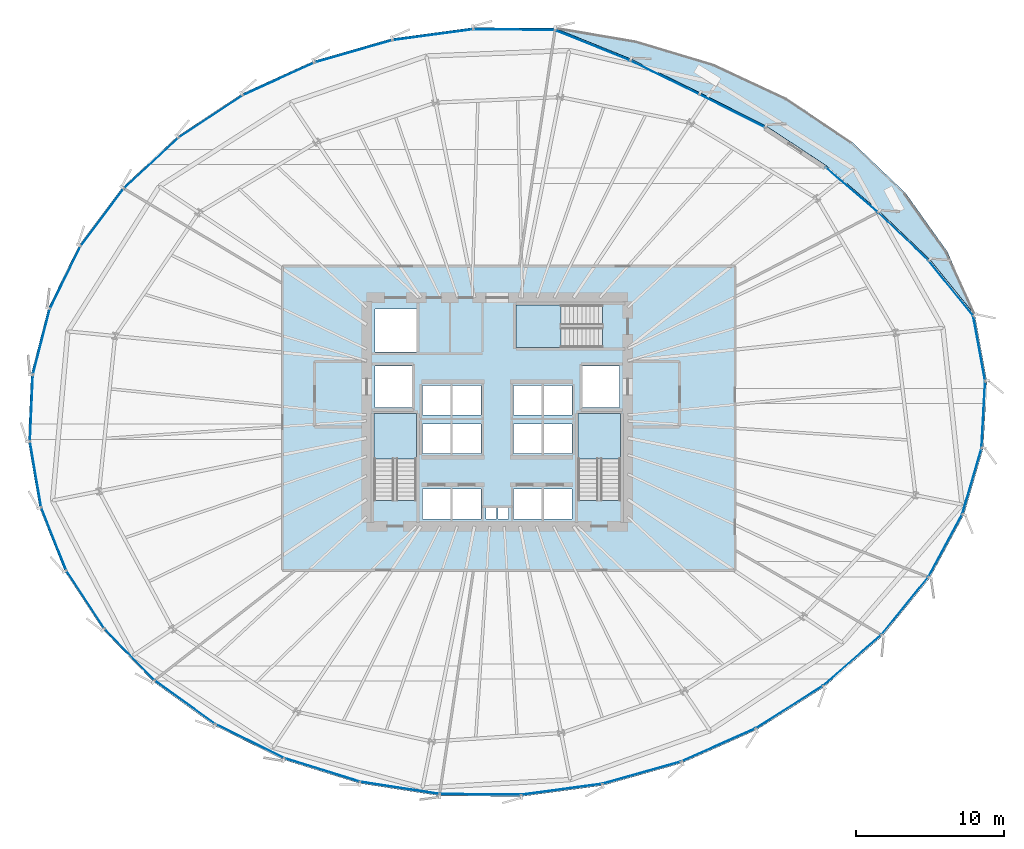
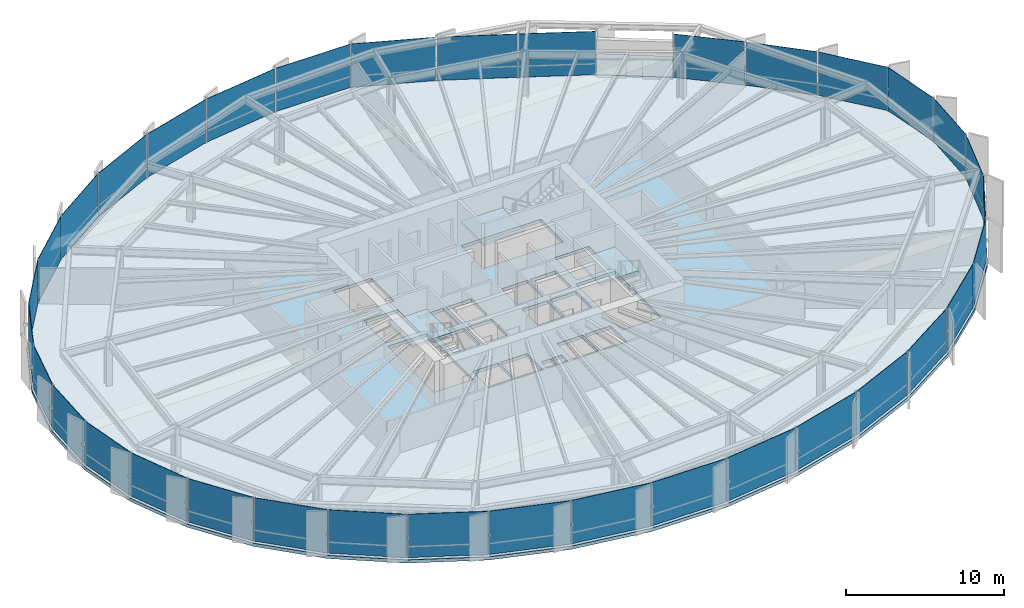
# One storey, part 31 of 39: 35 plates, 5 slabs, 10 elements without a shape of their own.
"""IFC4 building model written with IfcOpenShell, lengths in metres."""

from ifc_helpers import new_model, si_unit, direction, frame, origin, origin_2d, place, context, subcontext, project, spatial, polyline, rectangle, outline, extrude, source, transform, mapped, material, layer, layer_set, type_object, element, aggregate, save


model = new_model("IFC4")

# Units and contexts
model_context = context("Model", 3, precision=1e-05, world=origin(), true_north=direction((0.0, 1.0)))
body_context = subcontext(model_context, "Body", "Model", "MODEL_VIEW")
ifc_project = project(units=[si_unit("LENGTHUNIT", "METRE"), si_unit("AREAUNIT", "SQUARE_METRE"), si_unit("VOLUMEUNIT", "CUBIC_METRE"), si_unit("PLANEANGLEUNIT", "RADIAN"), si_unit("MASSUNIT", "GRAM", prefix="KILO"), si_unit("THERMODYNAMICTEMPERATUREUNIT", "KELVIN")], contexts=[model_context])

# Site, building, storey
site_placement = place(None, origin())
site = spatial("IfcSite", under=ifc_project, at=site_placement, CompositionType="ELEMENT")
building_placement = place(site_placement, origin())
building = spatial("IfcBuilding", under=site, at=building_placement, Name="Kethvar Cultural Tower", CompositionType="ELEMENT")
storey_placement = place(building_placement, frame((0.0, 0.0, 44.800048828125)))
storey = spatial("IfcBuildingStorey", under=building, at=storey_placement, Name="L10", CompositionType="ELEMENT", Elevation=44.800048828125)

# Stair, slab
ifc_material_1 = material(Name="Concrete C40/50", Category="concrete")
stair_type = type_object("IfcStairType", Name="ST-DOGLEG-135", PredefinedType="HALF_TURN_STAIR", material=ifc_material_1)
stair_1_placement = place(storey_placement, origin())
stair_1 = element("IfcStair", 1, at=stair_1_placement, inside=storey, type_object=stair_type, Name="L10 Core Exit Stair 1", PredefinedType="HALF_TURN_STAIR")
ifc_layer_1 = layer(ifc_material_1, 0.199951171875, Name="Concrete C40/50", Category="concrete")
ifc_layer_set_1 = layer_set([ifc_layer_1], Name="Concrete C40/50 (200 mm)")
slab_type_1 = type_object("IfcSlabType", Name="SL-STAIR-LANDING-200", PredefinedType="LANDING", material=ifc_layer_set_1)
slab_1_placement = place(storey_placement, frame((0.0, 0.0, 1.699951171875)))
slab_1 = element("IfcSlab", 2, at=slab_1_placement, type_object=slab_type_1, Name="ST-01 landing 1", PredefinedType="LANDING", context=body_context, shape_type="SweptSolid", body=[
    extrude(outline(polyline([(41.35009765625, 24.64990234375), (41.35009765625, 27.699951171875), (38.489990234375, 27.699951171875), (38.489990234375, 24.64990234375), (41.35009765625, 24.64990234375)])), origin(), (0.0, 0.0, 1.0), 0.199951171875),
])
aggregate(stair_1, [slab_1])

stair_2_placement = place(storey_placement, origin())
stair_2 = element("IfcStair", 3, at=stair_2_placement, inside=storey, type_object=stair_type, Name="L10 Core Exit Stair 2", PredefinedType="HALF_TURN_STAIR")
slab_2_placement = place(storey_placement, frame((0.0, 0.0, 1.699951171875)))
slab_2 = element("IfcSlab", 4, at=slab_2_placement, type_object=slab_type_1, Name="ST-02 landing 1", PredefinedType="LANDING", context=body_context, shape_type="SweptSolid", body=[
    extrude(outline(polyline([(55.110107421875, 24.64990234375), (55.110107421875, 27.699951171875), (52.25, 27.699951171875), (52.25, 24.64990234375), (55.110107421875, 24.64990234375)])), origin(), (0.0, 0.0, 1.0), 0.199951171875),
])
aggregate(stair_2, [slab_2])

stair_3_placement = place(storey_placement, origin())
stair_3 = element("IfcStair", 5, at=stair_3_placement, inside=storey, type_object=stair_type, Name="L10 Core Exit Stair 3", PredefinedType="HALF_TURN_STAIR")
slab_3_placement = place(storey_placement, frame((0.0, 0.0, 1.699951171875)))
slab_3 = element("IfcSlab", 6, at=slab_3_placement, type_object=slab_type_1, Name="ST-03 landing 1", PredefinedType="LANDING", context=body_context, shape_type="SweptSolid", body=[
    extrude(outline(polyline([(51.10009765625, 35.010009765625), (48.050048828125, 35.010009765625), (48.050048828125, 32.14990234375), (51.10009765625, 32.14990234375), (51.10009765625, 35.010009765625)])), origin(), (0.0, 0.0, 1.0), 0.199951171875),
])
aggregate(stair_3, [slab_3])

# Slabs
ifc_layer_2 = layer(ifc_material_1, 0.215087890625, Name="Concrete C40/50", Category="concrete")
ifc_layer_set_2 = layer_set([ifc_layer_2], Name="Concrete C40/50 (215 mm)")
slab_type_2 = type_object("IfcSlabType", Name="SL-TER-EXT", PredefinedType="FLOOR", material=ifc_layer_set_2)
slab_4_placement = place(storey_placement, frame((0.0, 0.0, -0.215087890625)))
element("IfcSlab", 7, at=slab_4_placement, inside=storey, type_object=slab_type_2, Name="L10 Spiralling Sky Terrace Deck", PredefinedType="FLOOR", context=body_context, shape_type="SweptSolid", body=[
    extrude(outline(polyline([(78.9921875, 34.343017578125), (77.142822265625, 38.607177734375), (74.335693359375, 42.54052734375), (70.684814453125, 46.025634765625), (66.3330078125, 48.95849609375), (61.4404296875, 51.251708984375), (56.175048828125, 52.837158203125), (50.701171875, 53.66650390625), (55.81005859375, 51.59716796875), (60.47900390625, 49.315185546875), (64.9384765625, 47.06689453125), (68.983154296875, 44.405029296875), (72.534912109375, 41.343994140625), (75.95849609375, 38.089599609375), (78.9921875, 34.343017578125)])), origin(), (0.0, 0.0, 1.0), 0.215087890625),
])
ifc_layer_3 = layer(ifc_material_1, 0.25, Name="Concrete C40/50", Category="concrete")
ifc_layer_set_3 = layer_set([ifc_layer_3], Name="Concrete C40/50 (250 mm)")
slab_type_3 = type_object("IfcSlabType", Name="SL-TOW-250", PredefinedType="FLOOR", material=ifc_layer_set_3)
slab_5_placement = place(storey_placement, frame((0.0, 0.0, -0.25)))
element("IfcSlab", 8, at=slab_5_placement, inside=storey, type_object=slab_type_3, Name="L10 Structural Floor Slab", PredefinedType="FLOOR", context=body_context, shape_type="SweptSolid", body=[
    extrude(outline(polyline([(79.80810546875, 29.876708984375), (78.9921875, 34.343017578125), (75.95849609375, 38.089599609375), (72.534912109375, 41.343994140625), (68.983154296875, 44.405029296875), (64.9384765625, 47.06689453125), (60.47900390625, 49.315185546875), (55.81005859375, 51.59716796875), (50.701171875, 53.66650390625), (45.169677734375, 53.713623046875), (39.705322265625, 52.974609375), (34.45654296875, 51.470703125), (29.582763671875, 49.24755859375), (25.232177734375, 46.372802734375), (21.536865234375, 42.93359375), (18.609130859375, 39.034423828125), (16.5380859375, 34.794189453125), (15.386474609375, 30.34130859375), (15.189208984375, 25.811279296875), (15.95263671875, 21.341552734375), (17.6533203125, 17.068115234375), (20.239501953125, 13.120849609375), (23.6328125, 9.619384765625), (27.72998046875, 6.670654296875), (32.406494140625, 4.36376953125), (37.5205078125, 2.768798828125), (42.91650390625, 1.934814453125), (48.430419921875, 1.88623046875), (53.912353515625, 2.62646484375), (59.239013671875, 4.13525390625), (64.264404296875, 6.367919921875), (68.830810546875, 9.256591796875), (72.78076171875, 12.711669921875), (75.966064453125, 16.626953125), (78.258056640625, 20.881103515625), (79.558349609375, 25.34326171875), (79.80810546875, 29.876708984375)]), holes=[polyline([(38.489990234375, 21.85009765625), (38.489990234375, 27.699951171875), (41.35009765625, 27.699951171875), (41.35009765625, 21.85009765625), (38.489990234375, 21.85009765625)]), polyline([(52.25, 21.85009765625), (52.25, 27.699951171875), (55.110107421875, 27.699951171875), (55.110107421875, 21.85009765625), (52.25, 21.85009765625)]), polyline([(53.89990234375, 32.14990234375), (48.050048828125, 32.14990234375), (48.050048828125, 35.010009765625), (53.89990234375, 35.010009765625), (53.89990234375, 32.14990234375)]), polyline([(41.75, 22.60009765625), (43.64990234375, 22.60009765625), (43.64990234375, 20.60009765625), (41.75, 20.60009765625), (41.75, 22.60009765625)]), polyline([(43.800048828125, 22.60009765625), (45.699951171875, 22.60009765625), (45.699951171875, 20.60009765625), (43.800048828125, 20.60009765625), (43.800048828125, 22.60009765625)]), polyline([(47.89990234375, 22.60009765625), (49.800048828125, 22.60009765625), (49.800048828125, 20.60009765625), (47.89990234375, 20.60009765625), (47.89990234375, 22.60009765625)]), polyline([(49.949951171875, 22.60009765625), (51.85009765625, 22.60009765625), (51.85009765625, 20.60009765625), (49.949951171875, 20.60009765625), (49.949951171875, 22.60009765625)]), polyline([(41.75, 27.0), (43.64990234375, 27.0), (43.64990234375, 25.0), (41.75, 25.0), (41.75, 27.0)]), polyline([(43.800048828125, 27.0), (45.699951171875, 27.0), (45.699951171875, 25.0), (43.800048828125, 25.0), (43.800048828125, 27.0)]), polyline([(47.89990234375, 27.0), (49.800048828125, 27.0), (49.800048828125, 25.0), (47.89990234375, 25.0), (47.89990234375, 27.0)]), polyline([(49.949951171875, 27.0), (51.85009765625, 27.0), (51.85009765625, 25.0), (49.949951171875, 25.0), (49.949951171875, 27.0)]), polyline([(41.75, 29.60009765625), (43.64990234375, 29.60009765625), (43.64990234375, 27.60009765625), (41.75, 27.60009765625), (41.75, 29.60009765625)]), polyline([(43.800048828125, 29.60009765625), (45.699951171875, 29.60009765625), (45.699951171875, 27.60009765625), (43.800048828125, 27.60009765625), (43.800048828125, 29.60009765625)]), polyline([(47.89990234375, 29.60009765625), (49.800048828125, 29.60009765625), (49.800048828125, 27.60009765625), (47.89990234375, 27.60009765625), (47.89990234375, 29.60009765625)]), polyline([(49.949951171875, 29.60009765625), (51.85009765625, 29.60009765625), (51.85009765625, 27.60009765625), (49.949951171875, 27.60009765625), (49.949951171875, 29.60009765625)]), polyline([(38.550048828125, 30.89990234375), (41.050048828125, 30.89990234375), (41.050048828125, 28.10009765625), (38.550048828125, 28.10009765625), (38.550048828125, 30.89990234375)]), polyline([(52.550048828125, 30.89990234375), (55.050048828125, 30.89990234375), (55.050048828125, 28.10009765625), (52.550048828125, 28.10009765625), (52.550048828125, 30.89990234375)]), polyline([(38.550048828125, 34.75), (41.35009765625, 34.75), (41.35009765625, 31.85009765625), (38.550048828125, 31.85009765625), (38.550048828125, 34.75)]), polyline([(46.050048828125, 21.35009765625), (46.75, 21.35009765625), (46.75, 20.60009765625), (46.050048828125, 20.60009765625), (46.050048828125, 21.35009765625)]), polyline([(46.85009765625, 21.35009765625), (47.550048828125, 21.35009765625), (47.550048828125, 20.60009765625), (46.85009765625, 20.60009765625), (46.85009765625, 21.35009765625)])]), origin(), (0.0, 0.0, 1.0), 0.25),
])

# Curtain wall, plates
ifc_material_2 = material(Name="Aluminium 6063-T6", Category="aluminium")
ifc_layer_4 = layer(ifc_material_2, 0.179931640625, Name="Aluminium 6063-T6", Category="aluminium")
ifc_layer_set_4 = layer_set([ifc_layer_4], Name="Aluminium 6063-T6 (180 mm)")
curtain_wall_type = type_object("IfcCurtainWallType", Name="CW-SYS-02-Z1", PredefinedType="NOTDEFINED", material=ifc_layer_set_4)
curtain_wall_1_placement = place(storey_placement, origin())
curtain_wall_1 = element("IfcCurtainWall", 9, at=curtain_wall_1_placement, inside=storey, type_object=curtain_wall_type, Name="L10 Curtain Wall Run 01", PredefinedType="NOTDEFINED")
ifc_material_3 = material(Name="Insulated Low-E Solar Glass", Category="glass")
ifc_layer_5 = layer(ifc_material_3, 0.031982421875, Name="Insulated Low-E Solar Glass", Category="glass")
ifc_layer_set_5 = layer_set([ifc_layer_5], Name="Insulated Low-E Solar Glass (32 mm)")
plate_type = type_object("IfcPlateType", Name="CW-SYS-02-Z1-PNL", PredefinedType="CURTAIN_PANEL", material=ifc_layer_set_5)
shared_shape_1 = source(origin(), body_context, "Body", "SweptSolid", [
    extrude(rectangle(XDim=4.446533203125, YDim=0.031982421875, at=origin_2d()), origin(), (0.0, 0.0, 1.0), 3.35009765625),
])
plate_1_placement = place(storey_placement, frame((79.281982421875, 32.08837890625, 0.099853515625), z_axis=(0.0, 0.0, 1.0), x_axis=(-0.179677917869, 0.983725493128, 0.0)))
plate_1 = element("IfcPlate", 10, at=plate_1_placement, type_object=plate_type, Name="CW-L10-R01 Vision Glazing Panel 1", PredefinedType="CURTAIN_PANEL", context=body_context, shape_type="MappedRepresentation", body=[
    mapped(shared_shape_1, transform((0.0, 0.0, 0.0), scale=1.0)),
])
shared_shape_2 = source(origin(), body_context, "Body", "SweptSolid", [
    extrude(rectangle(XDim=4.727294921875, YDim=0.031982421875, at=origin_2d()), origin(), (0.0, 0.0, 1.0), 3.35009765625),
])
plate_2_placement = place(storey_placement, frame((77.382080078125, 36.140869140625, 0.099853515625), z_axis=(0.0, 0.0, 1.0), x_axis=(-0.629306827198, 0.777156945051, 0.0)))
plate_2 = element("IfcPlate", 11, at=plate_2_placement, type_object=plate_type, Name="CW-L10-R01 Vision Glazing Panel 2", PredefinedType="CURTAIN_PANEL", context=body_context, shape_type="MappedRepresentation", body=[
    mapped(shared_shape_2, transform((0.0, 0.0, 0.0), scale=1.0)),
])
shared_shape_3 = source(origin(), body_context, "Body", "SweptSolid", [
    extrude(rectangle(XDim=4.6298828125, YDim=0.031982421875, at=origin_2d()), origin(), (0.0, 0.0, 1.0), 3.35009765625),
])
plate_3_placement = place(storey_placement, frame((74.163818359375, 39.6298828125, 0.099853515625), z_axis=(0.0, 0.0, 1.0), x_axis=(-0.724773392198, 0.688987322062, 0.0)))
plate_3 = element("IfcPlate", 12, at=plate_3_placement, type_object=plate_type, Name="CW-L10-R01 Vision Glazing Panel 3", PredefinedType="CURTAIN_PANEL", context=body_context, shape_type="MappedRepresentation", body=[
    mapped(shared_shape_3, transform((0.0, 0.0, 0.0), scale=1.0)),
])
shared_shape_4 = source(origin(), body_context, "Body", "SweptSolid", [
    extrude(rectangle(XDim=4.59521484375, YDim=0.031982421875, at=origin_2d()), origin(), (0.0, 0.0, 1.0), 3.35009765625),
])
plate_4_placement = place(storey_placement, frame((70.6806640625, 42.78369140625, 0.099853515625), z_axis=(0.0, 0.0, 1.0), x_axis=(-0.75751941131, 0.652812638885, 0.0)))
plate_4 = element("IfcPlate", 13, at=plate_4_placement, type_object=plate_type, Name="CW-L10-R01 Vision Glazing Panel 4", PredefinedType="CURTAIN_PANEL", context=body_context, shape_type="MappedRepresentation", body=[
    mapped(shared_shape_4, transform((0.0, 0.0, 0.0), scale=1.0)),
])
aggregate(curtain_wall_1, [plate_1, plate_2, plate_3, plate_4])

curtain_wall_2_placement = place(storey_placement, origin())
curtain_wall_2 = element("IfcCurtainWall", 14, at=curtain_wall_2_placement, inside=storey, type_object=curtain_wall_type, Name="L10 Curtain Wall Run 02", PredefinedType="NOTDEFINED")
shared_shape_5 = source(origin(), body_context, "Body", "SweptSolid", [
    extrude(rectangle(XDim=4.900390625, YDim=0.031982421875, at=origin_2d()), origin(), (0.0, 0.0, 1.0), 3.35009765625),
])
plate_5_placement = place(storey_placement, frame((62.65478515625, 48.083984375, 0.099853515625), z_axis=(0.0, 0.0, 1.0), x_axis=(-0.892931804316, 0.450191951106, 0.0)))
plate_5 = element("IfcPlate", 15, at=plate_5_placement, type_object=plate_type, Name="CW-L10-R02 Vision Glazing Panel 1", PredefinedType="CURTAIN_PANEL", context=body_context, shape_type="MappedRepresentation", body=[
    mapped(shared_shape_5, transform((0.0, 0.0, 0.0), scale=1.0)),
])
shared_shape_6 = source(origin(), body_context, "Body", "SweptSolid", [
    extrude(rectangle(XDim=5.103271484375, YDim=0.031982421875, at=origin_2d()), origin(), (0.0, 0.0, 1.0), 3.35009765625),
])
plate_6_placement = place(storey_placement, frame((58.091796875, 50.348388671875, 0.099853515625), z_axis=(0.0, 0.0, 1.0), x_axis=(-0.898441809756, 0.43909260354, 0.0)))
plate_6 = element("IfcPlate", 16, at=plate_6_placement, type_object=plate_type, Name="CW-L10-R02 Vision Glazing Panel 2", PredefinedType="CURTAIN_PANEL", context=body_context, shape_type="MappedRepresentation", body=[
    mapped(shared_shape_6, transform((0.0, 0.0, 0.0), scale=1.0)),
])
shared_shape_7 = source(origin(), body_context, "Body", "SweptSolid", [
    extrude(rectangle(XDim=5.418701171875, YDim=0.031982421875, at=origin_2d()), origin(), (0.0, 0.0, 1.0), 3.35009765625),
])
plate_7_placement = place(storey_placement, frame((53.21044921875, 52.5205078125, 0.099853515625), z_axis=(0.0, 0.0, 1.0), x_axis=(-0.926869699551, 0.375383217598, 0.0)))
plate_7 = element("IfcPlate", 17, at=plate_7_placement, type_object=plate_type, Name="CW-L10-R02 Vision Glazing Panel 3", PredefinedType="CURTAIN_PANEL", context=body_context, shape_type="MappedRepresentation", body=[
    mapped(shared_shape_7, transform((0.0, 0.0, 0.0), scale=1.0)),
])
shared_shape_8 = source(origin(), body_context, "Body", "SweptSolid", [
    extrude(rectangle(XDim=5.43798828125, YDim=0.031982421875, at=origin_2d()), origin(), (0.0, 0.0, 1.0), 3.35009765625),
])
plate_8_placement = place(storey_placement, frame((47.934326171875, 53.570068359375, 0.099853515625), z_axis=(0.0, 0.0, 1.0), x_axis=(-0.999963430902, 0.008552009087, 0.0)))
plate_8 = element("IfcPlate", 18, at=plate_8_placement, type_object=plate_type, Name="CW-L10-R02 Vision Glazing Panel 4", PredefinedType="CURTAIN_PANEL", context=body_context, shape_type="MappedRepresentation", body=[
    mapped(shared_shape_8, transform((0.0, 0.0, 0.0), scale=1.0)),
])

# Curtain wall, plate
curtain_wall_3_placement = place(storey_placement, origin())
curtain_wall_3 = element("IfcCurtainWall", 19, at=curtain_wall_3_placement, inside=storey, type_object=curtain_wall_type, Name="L10 Curtain Wall Run 05", PredefinedType="NOTDEFINED")
plate_9_placement = place(storey_placement, frame((51.1552734375, 2.37548828125, 0.099853515625), z_axis=(0.0, 0.0, 1.0), x_axis=(0.991006569622, 0.133813224182, 0.0)))
plate_9 = element("IfcPlate", 20, at=plate_9_placement, type_object=plate_type, Name="CW-L10-R05 Vision Glazing Panel 5", PredefinedType="CURTAIN_PANEL", context=body_context, shape_type="MappedRepresentation", body=[
    mapped(shared_shape_8, transform((0.0, 0.0, 0.0), scale=1.0)),
])

# Plate
shared_shape_9 = source(origin(), body_context, "Body", "SweptSolid", [
    extrude(rectangle(XDim=5.42041015625, YDim=0.031982421875, at=origin_2d()), origin(), (0.0, 0.0, 1.0), 3.35009765625),
])
plate_10_placement = place(storey_placement, frame((42.45361328125, 53.225341796875, 0.099853515625), z_axis=(0.0, 0.0, 1.0), x_axis=(-0.990976182856, -0.134038072994, 0.0)))
plate_10 = element("IfcPlate", 21, at=plate_10_placement, type_object=plate_type, Name="CW-L10-R02 Vision Glazing Panel 5", PredefinedType="CURTAIN_PANEL", context=body_context, shape_type="MappedRepresentation", body=[
    mapped(shared_shape_9, transform((0.0, 0.0, 0.0), scale=1.0)),
])

shared_shape_10 = source(origin(), body_context, "Body", "SweptSolid", [
    extrude(rectangle(XDim=5.366455078125, YDim=0.031982421875, at=origin_2d()), origin(), (0.0, 0.0, 1.0), 3.35009765625),
])
plate_11_placement = place(storey_placement, frame((37.114013671875, 52.107421875, 0.099853515625), z_axis=(0.0, 0.0, 1.0), x_axis=(-0.961319404208, -0.275436023594, 0.0)))
plate_11 = element("IfcPlate", 22, at=plate_11_placement, type_object=plate_type, Name="CW-L10-R02 Vision Glazing Panel 6", PredefinedType="CURTAIN_PANEL", context=body_context, shape_type="MappedRepresentation", body=[
    mapped(shared_shape_10, transform((0.0, 0.0, 0.0), scale=1.0)),
])

aggregate(curtain_wall_2, [plate_5, plate_6, plate_7, plate_8, plate_10, plate_11])

plate_12_placement = place(storey_placement, frame((40.23681640625, 2.47021484375, 0.099853515625), z_axis=(0.0, 0.0, 1.0), x_axis=(0.988260401051, -0.152778858862, 0.0)))
plate_12 = element("IfcPlate", 23, at=plate_12_placement, type_object=plate_type, Name="CW-L10-R05 Vision Glazing Panel 3", PredefinedType="CURTAIN_PANEL", context=body_context, shape_type="MappedRepresentation", body=[
    mapped(shared_shape_10, transform((0.0, 0.0, 0.0), scale=1.0)),
])

# Curtain wall, plate
curtain_wall_4_placement = place(storey_placement, origin())
curtain_wall_4 = element("IfcCurtainWall", 24, at=curtain_wall_4_placement, inside=storey, type_object=curtain_wall_type, Name="L10 Curtain Wall Run 03", PredefinedType="NOTDEFINED")
shared_shape_11 = source(origin(), body_context, "Body", "SweptSolid", [
    extrude(rectangle(XDim=5.26318359375, YDim=0.031982421875, at=origin_2d()), origin(), (0.0, 0.0, 1.0), 3.35009765625),
])
plate_13_placement = place(storey_placement, frame((32.0693359375, 50.25, 0.099853515625), z_axis=(0.0, 0.0, 1.0), x_axis=(-0.909816460192, -0.41501085379, 0.0)))
plate_13 = element("IfcPlate", 25, at=plate_13_placement, type_object=plate_type, Name="CW-L10-R03 Vision Glazing Panel 1", PredefinedType="CURTAIN_PANEL", context=body_context, shape_type="MappedRepresentation", body=[
    mapped(shared_shape_11, transform((0.0, 0.0, 0.0), scale=1.0)),
])

# Plate
plate_14_placement = place(storey_placement, frame((34.999267578125, 3.680908203125, 0.099853515625), z_axis=(0.0, 0.0, 1.0), x_axis=(0.954656937924, -0.297708130344, 0.0)))
plate_14 = element("IfcPlate", 26, at=plate_14_placement, type_object=plate_type, Name="CW-L10-R05 Vision Glazing Panel 2", PredefinedType="CURTAIN_PANEL", context=body_context, shape_type="MappedRepresentation", body=[
    mapped(shared_shape_11, transform((0.0, 0.0, 0.0), scale=1.0)),
])

shared_shape_12 = source(origin(), body_context, "Body", "SweptSolid", [
    extrude(rectangle(XDim=5.12109375, YDim=0.031982421875, at=origin_2d()), origin(), (0.0, 0.0, 1.0), 3.35009765625),
])
plate_15_placement = place(storey_placement, frame((27.473388671875, 47.7099609375, 0.099853515625), z_axis=(0.0, 0.0, 1.0), x_axis=(-0.834309433315, -0.551296444286, 0.0)))
plate_15 = element("IfcPlate", 27, at=plate_15_placement, type_object=plate_type, Name="CW-L10-R03 Vision Glazing Panel 2", PredefinedType="CURTAIN_PANEL", context=body_context, shape_type="MappedRepresentation", body=[
    mapped(shared_shape_12, transform((0.0, 0.0, 0.0), scale=1.0)),
])

plate_16_placement = place(storey_placement, frame((30.121337890625, 5.624755859375, 0.099853515625), z_axis=(0.0, 0.0, 1.0), x_axis=(0.896826420252, -0.442382608088, 0.0)))
plate_16 = element("IfcPlate", 28, at=plate_16_placement, type_object=plate_type, Name="CW-L10-R05 Vision Glazing Panel 1", PredefinedType="CURTAIN_PANEL", context=body_context, shape_type="MappedRepresentation", body=[
    mapped(shared_shape_12, transform((0.0, 0.0, 0.0), scale=1.0)),
])

shared_shape_13 = source(origin(), body_context, "Body", "SweptSolid", [
    extrude(rectangle(XDim=4.95458984375, YDim=0.031982421875, at=origin_2d()), origin(), (0.0, 0.0, 1.0), 3.35009765625),
])
plate_17_placement = place(storey_placement, frame((23.46630859375, 44.565185546875, 0.099853515625), z_axis=(0.0, 0.0, 1.0), x_axis=(-0.732019926734, -0.681283220742, 0.0)))
plate_17 = element("IfcPlate", 29, at=plate_17_placement, type_object=plate_type, Name="CW-L10-R03 Vision Glazing Panel 3", PredefinedType="CURTAIN_PANEL", context=body_context, shape_type="MappedRepresentation", body=[
    mapped(shared_shape_13, transform((0.0, 0.0, 0.0), scale=1.0)),
])

shared_shape_14 = source(origin(), body_context, "Body", "SweptSolid", [
    extrude(rectangle(XDim=4.7822265625, YDim=0.031982421875, at=origin_2d()), origin(), (0.0, 0.0, 1.0), 3.35009765625),
])
plate_18_placement = place(storey_placement, frame((20.1689453125, 40.911865234375, 0.099853515625), z_axis=(0.0, 0.0, 1.0), x_axis=(-0.600448139221, -0.79966369938, 0.0)))
plate_18 = element("IfcPlate", 30, at=plate_18_placement, type_object=plate_type, Name="CW-L10-R03 Vision Glazing Panel 4", PredefinedType="CURTAIN_PANEL", context=body_context, shape_type="MappedRepresentation", body=[
    mapped(shared_shape_14, transform((0.0, 0.0, 0.0), scale=1.0)),
])

# Curtain wall, plate
curtain_wall_5_placement = place(storey_placement, origin())
curtain_wall_5 = element("IfcCurtainWall", 31, at=curtain_wall_5_placement, inside=storey, type_object=curtain_wall_type, Name="L10 Curtain Wall Run 04", PredefinedType="NOTDEFINED")
plate_19_placement = place(storey_placement, frame((22.022216796875, 11.45361328125, 0.099853515625), z_axis=(0.0, 0.0, 1.0), x_axis=(0.695950396643, -0.71808985887, 0.0)))
plate_19 = element("IfcPlate", 32, at=plate_19_placement, type_object=plate_type, Name="CW-L10-R04 Vision Glazing Panel 5", PredefinedType="CURTAIN_PANEL", context=body_context, shape_type="MappedRepresentation", body=[
    mapped(shared_shape_14, transform((0.0, 0.0, 0.0), scale=1.0)),
])

# Plate
shared_shape_15 = source(origin(), body_context, "Body", "SweptSolid", [
    extrude(rectangle(XDim=4.62548828125, YDim=0.031982421875, at=origin_2d()), origin(), (0.0, 0.0, 1.0), 3.35009765625),
])
plate_20_placement = place(storey_placement, frame((17.681396484375, 36.86181640625, 0.099853515625), z_axis=(0.0, 0.0, 1.0), x_axis=(-0.438873059686, -0.898549073497, 0.0)))
plate_20 = element("IfcPlate", 33, at=plate_20_placement, type_object=plate_type, Name="CW-L10-R03 Vision Glazing Panel 5", PredefinedType="CURTAIN_PANEL", context=body_context, shape_type="MappedRepresentation", body=[
    mapped(shared_shape_15, transform((0.0, 0.0, 0.0), scale=1.0)),
])

plate_21_placement = place(storey_placement, frame((19.046630859375, 15.16015625, 0.099853515625), z_axis=(0.0, 0.0, 1.0), x_axis=(0.548030475423, -0.836458365974, 0.0)))
plate_21 = element("IfcPlate", 34, at=plate_21_placement, type_object=plate_type, Name="CW-L10-R04 Vision Glazing Panel 4", PredefinedType="CURTAIN_PANEL", context=body_context, shape_type="MappedRepresentation", body=[
    mapped(shared_shape_15, transform((0.0, 0.0, 0.0), scale=1.0)),
])

shared_shape_16 = source(origin(), body_context, "Body", "SweptSolid", [
    extrude(rectangle(XDim=4.505615234375, YDim=0.031982421875, at=origin_2d()), origin(), (0.0, 0.0, 1.0), 3.35009765625),
])
plate_22_placement = place(storey_placement, frame((16.078369140625, 32.53759765625, 0.099853515625), z_axis=(0.0, 0.0, 1.0), x_axis=(-0.250380004054, -0.968147640378, 0.0)))
plate_22 = element("IfcPlate", 35, at=plate_22_placement, type_object=plate_type, Name="CW-L10-R03 Vision Glazing Panel 6", PredefinedType="CURTAIN_PANEL", context=body_context, shape_type="MappedRepresentation", body=[
    mapped(shared_shape_16, transform((0.0, 0.0, 0.0), scale=1.0)),
])

aggregate(curtain_wall_4, [plate_13, plate_15, plate_17, plate_18, plate_20, plate_22])

plate_23_placement = place(storey_placement, frame((16.914306640625, 19.249267578125, 0.099853515625), z_axis=(0.0, 0.0, 1.0), x_axis=(0.369746757274, -0.929132571534, 0.0)))
plate_23 = element("IfcPlate", 36, at=plate_23_placement, type_object=plate_type, Name="CW-L10-R04 Vision Glazing Panel 3", PredefinedType="CURTAIN_PANEL", context=body_context, shape_type="MappedRepresentation", body=[
    mapped(shared_shape_16, transform((0.0, 0.0, 0.0), scale=1.0)),
])

shared_shape_17 = source(origin(), body_context, "Body", "SweptSolid", [
    extrude(rectangle(XDim=4.44091796875, YDim=0.031982421875, at=origin_2d()), origin(), (0.0, 0.0, 1.0), 3.35009765625),
])
plate_24_placement = place(storey_placement, frame((15.40771484375, 28.071044921875, 0.099853515625), z_axis=(0.0, 0.0, 1.0), x_axis=(-0.0434624567, -0.999055060974, 0.0)))
plate_24 = element("IfcPlate", 37, at=plate_24_placement, type_object=plate_type, Name="CW-L10-R04 Vision Glazing Panel 1", PredefinedType="CURTAIN_PANEL", context=body_context, shape_type="MappedRepresentation", body=[
    mapped(shared_shape_17, transform((0.0, 0.0, 0.0), scale=1.0)),
])

plate_25_placement = place(storey_placement, frame((15.689208984375, 23.5966796875, 0.099853515625), z_axis=(0.0, 0.0, 1.0), x_axis=(0.168334543548, -0.985729923178, 0.0)))
plate_25 = element("IfcPlate", 38, at=plate_25_placement, type_object=plate_type, Name="CW-L10-R04 Vision Glazing Panel 2", PredefinedType="CURTAIN_PANEL", context=body_context, shape_type="MappedRepresentation", body=[
    mapped(shared_shape_17, transform((0.0, 0.0, 0.0), scale=1.0)),
])

shared_shape_18 = source(origin(), body_context, "Body", "SweptSolid", [
    extrude(rectangle(XDim=4.954345703125, YDim=0.031982421875, at=origin_2d()), origin(), (0.0, 0.0, 1.0), 3.35009765625),
])
plate_26_placement = place(storey_placement, frame((25.75146484375, 8.242431640625, 0.099853515625), z_axis=(0.0, 0.0, 1.0), x_axis=(0.811624964276, -0.584178840222, 0.0)))
plate_26 = element("IfcPlate", 39, at=plate_26_placement, type_object=plate_type, Name="CW-L10-R04 Vision Glazing Panel 6", PredefinedType="CURTAIN_PANEL", context=body_context, shape_type="MappedRepresentation", body=[
    mapped(shared_shape_18, transform((0.0, 0.0, 0.0), scale=1.0)),
])

aggregate(curtain_wall_5, [plate_24, plate_25, plate_23, plate_21, plate_19, plate_26])

shared_shape_19 = source(origin(), body_context, "Body", "SweptSolid", [
    extrude(rectangle(XDim=5.420654296875, YDim=0.031982421875, at=origin_2d()), origin(), (0.0, 0.0, 1.0), 3.35009765625),
])
plate_27_placement = place(storey_placement, frame((45.674560546875, 2.030517578125, 0.099853515625), z_axis=(0.0, 0.0, 1.0), x_axis=(0.999961464773, -0.00877889337, 0.0)))
plate_27 = element("IfcPlate", 40, at=plate_27_placement, type_object=plate_type, Name="CW-L10-R05 Vision Glazing Panel 4", PredefinedType="CURTAIN_PANEL", context=body_context, shape_type="MappedRepresentation", body=[
    mapped(shared_shape_19, transform((0.0, 0.0, 0.0), scale=1.0)),
])

shared_shape_20 = source(origin(), body_context, "Body", "SweptSolid", [
    extrude(rectangle(XDim=5.44287109375, YDim=0.031982421875, at=origin_2d()), origin(), (0.0, 0.0, 1.0), 3.35009765625),
])
plate_28_placement = place(storey_placement, frame((56.54296875, 3.496337890625, 0.099853515625), z_axis=(0.0, 0.0, 1.0), x_axis=(0.962146677753, 0.272532145788, 0.0)))
plate_28 = element("IfcPlate", 41, at=plate_28_placement, type_object=plate_type, Name="CW-L10-R05 Vision Glazing Panel 6", PredefinedType="CURTAIN_PANEL", context=body_context, shape_type="MappedRepresentation", body=[
    mapped(shared_shape_20, transform((0.0, 0.0, 0.0), scale=1.0)),
])

aggregate(curtain_wall_3, [plate_16, plate_14, plate_12, plate_27, plate_9, plate_28])

# Curtain wall, plates
curtain_wall_6_placement = place(storey_placement, origin())
curtain_wall_6 = element("IfcCurtainWall", 42, at=curtain_wall_6_placement, inside=storey, type_object=curtain_wall_type, Name="L10 Curtain Wall Run 06", PredefinedType="NOTDEFINED")
shared_shape_21 = source(origin(), body_context, "Body", "SweptSolid", [
    extrude(rectangle(XDim=5.4052734375, YDim=0.031982421875, at=origin_2d()), origin(), (0.0, 0.0, 1.0), 3.35009765625),
])
plate_29_placement = place(storey_placement, frame((61.702880859375, 5.361328125, 0.099853515625), z_axis=(0.0, 0.0, 1.0), x_axis=(0.913857539554, 0.406034970662, 0.0)))
plate_29 = element("IfcPlate", 43, at=plate_29_placement, type_object=plate_type, Name="CW-L10-R06 Vision Glazing Panel 1", PredefinedType="CURTAIN_PANEL", context=body_context, shape_type="MappedRepresentation", body=[
    mapped(shared_shape_21, transform((0.0, 0.0, 0.0), scale=1.0)),
])
shared_shape_22 = source(origin(), body_context, "Body", "SweptSolid", [
    extrude(rectangle(XDim=5.309814453125, YDim=0.031982421875, at=origin_2d()), origin(), (0.0, 0.0, 1.0), 3.35009765625),
])
plate_30_placement = place(storey_placement, frame((66.4833984375, 7.913818359375, 0.099853515625), z_axis=(0.0, 0.0, 1.0), x_axis=(0.845121911139, 0.534573620106, 0.0)))
plate_30 = element("IfcPlate", 44, at=plate_30_placement, type_object=plate_type, Name="CW-L10-R06 Vision Glazing Panel 2", PredefinedType="CURTAIN_PANEL", context=body_context, shape_type="MappedRepresentation", body=[
    mapped(shared_shape_22, transform((0.0, 0.0, 0.0), scale=1.0)),
])
shared_shape_23 = source(origin(), body_context, "Body", "SweptSolid", [
    extrude(rectangle(XDim=5.154296875, YDim=0.031982421875, at=origin_2d()), origin(), (0.0, 0.0, 1.0), 3.35009765625),
])
plate_31_placement = place(storey_placement, frame((70.726806640625, 11.074462890625, 0.099853515625), z_axis=(0.0, 0.0, 1.0), x_axis=(0.752679263162, 0.658387368353, 0.0)))
plate_31 = element("IfcPlate", 45, at=plate_31_placement, type_object=plate_type, Name="CW-L10-R06 Vision Glazing Panel 3", PredefinedType="CURTAIN_PANEL", context=body_context, shape_type="MappedRepresentation", body=[
    mapped(shared_shape_23, transform((0.0, 0.0, 0.0), scale=1.0)),
])
shared_shape_24 = source(origin(), body_context, "Body", "SweptSolid", [
    extrude(rectangle(XDim=4.95361328125, YDim=0.031982421875, at=origin_2d()), origin(), (0.0, 0.0, 1.0), 3.35009765625),
])
plate_32_placement = place(storey_placement, frame((74.280517578125, 14.7451171875, 0.099853515625), z_axis=(0.0, 0.0, 1.0), x_axis=(0.631095596613, 0.775705065044, 0.0)))
plate_32 = element("IfcPlate", 46, at=plate_32_placement, type_object=plate_type, Name="CW-L10-R06 Vision Glazing Panel 4", PredefinedType="CURTAIN_PANEL", context=body_context, shape_type="MappedRepresentation", body=[
    mapped(shared_shape_24, transform((0.0, 0.0, 0.0), scale=1.0)),
])
shared_shape_25 = source(origin(), body_context, "Body", "SweptSolid", [
    extrude(rectangle(XDim=4.73876953125, YDim=0.031982421875, at=origin_2d()), origin(), (0.0, 0.0, 1.0), 3.35009765625),
])
plate_33_placement = place(storey_placement, frame((77.006591796875, 18.810791015625, 0.099853515625), z_axis=(0.0, 0.0, 1.0), x_axis=(0.474287970817, 0.880369763644, 0.0)))
plate_33 = element("IfcPlate", 47, at=plate_33_placement, type_object=plate_type, Name="CW-L10-R06 Vision Glazing Panel 5", PredefinedType="CURTAIN_PANEL", context=body_context, shape_type="MappedRepresentation", body=[
    mapped(shared_shape_25, transform((0.0, 0.0, 0.0), scale=1.0)),
])
shared_shape_26 = source(origin(), body_context, "Body", "SweptSolid", [
    extrude(rectangle(XDim=4.55419921875, YDim=0.031982421875, at=origin_2d()), origin(), (0.0, 0.0, 1.0), 3.35009765625),
])
plate_34_placement = place(storey_placement, frame((78.79296875, 23.145751953125, 0.099853515625), z_axis=(0.0, 0.0, 1.0), x_axis=(0.279778745555, 0.960064504883, 0.0)))
plate_34 = element("IfcPlate", 48, at=plate_34_placement, type_object=plate_type, Name="CW-L10-R06 Vision Glazing Panel 6", PredefinedType="CURTAIN_PANEL", context=body_context, shape_type="MappedRepresentation", body=[
    mapped(shared_shape_26, transform((0.0, 0.0, 0.0), scale=1.0)),
])
aggregate(curtain_wall_6, [plate_29, plate_30, plate_31, plate_32, plate_33, plate_34])

# Curtain wall, plate
curtain_wall_7_placement = place(storey_placement, origin())
curtain_wall_7 = element("IfcCurtainWall", 49, at=curtain_wall_7_placement, inside=storey, type_object=curtain_wall_type, Name="L10 Curtain Wall Run 07", PredefinedType="NOTDEFINED")
shared_shape_27 = source(origin(), body_context, "Body", "SweptSolid", [
    extrude(rectangle(XDim=4.44677734375, YDim=0.031982421875, at=origin_2d()), origin(), (0.0, 0.0, 1.0), 3.35009765625),
])
plate_35_placement = place(storey_placement, frame((79.5634765625, 27.61669921875, 0.099853515625), z_axis=(0.0, 0.0, 1.0), x_axis=(0.054967606826, 0.998488138237, 0.0)))
plate_35 = element("IfcPlate", 50, at=plate_35_placement, type_object=plate_type, Name="CW-L10-R07 Vision Glazing Panel 1", PredefinedType="CURTAIN_PANEL", context=body_context, shape_type="MappedRepresentation", body=[
    mapped(shared_shape_27, transform((0.0, 0.0, 0.0), scale=1.0)),
])
aggregate(curtain_wall_7, [plate_35])

save(model, "model.ifc")
